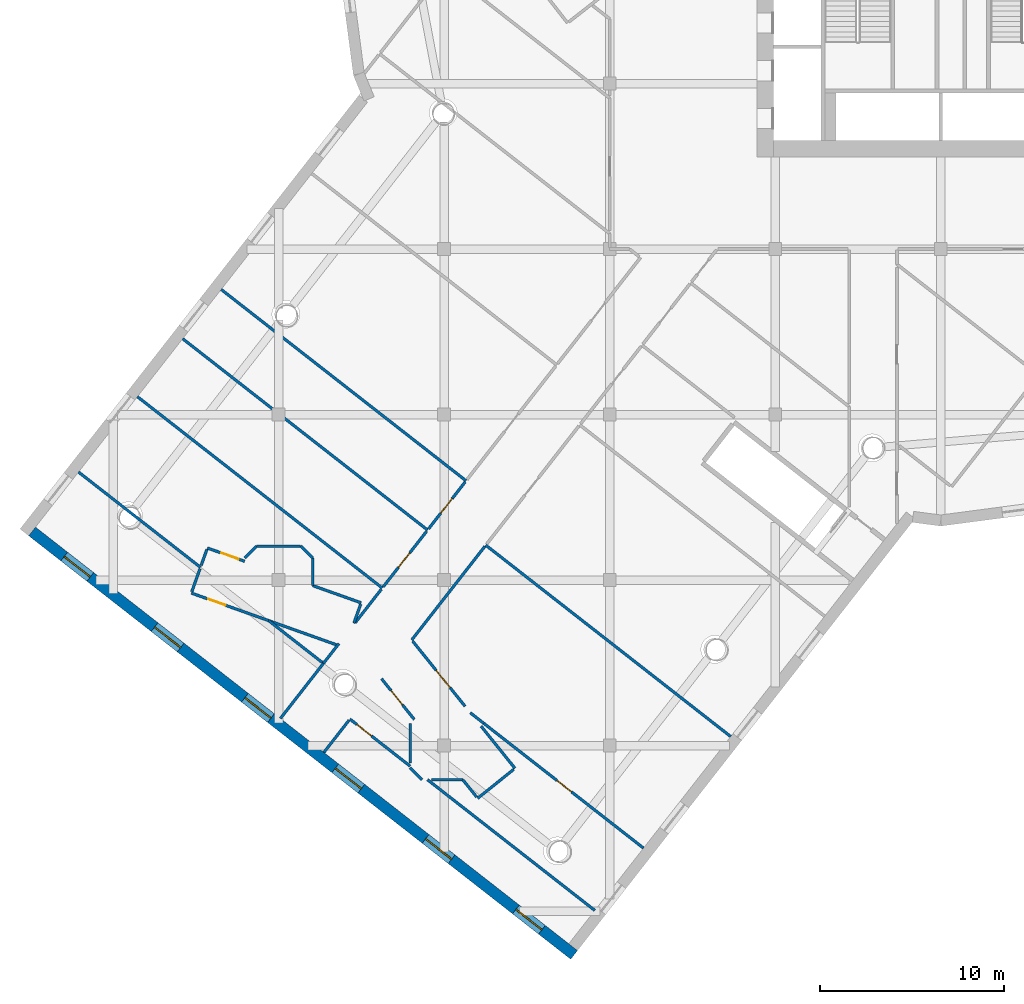
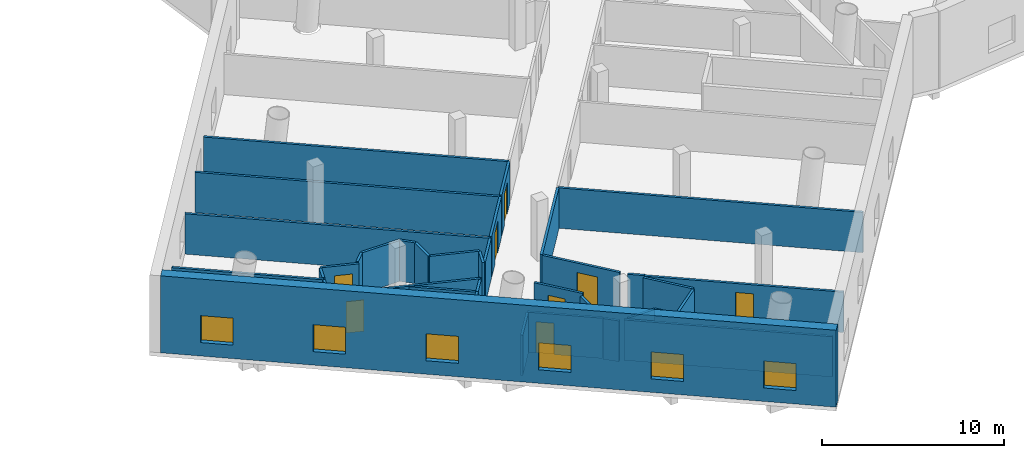
# One storey, part 4 of 15: 37 walls, 8 doors, 6 windows, 14 openings.
"""IFC4 building model written with IfcOpenShell, lengths in metres."""

from ifc_helpers import new_model, si_unit, direction, frame, frame_2d, origin, place, context, subcontext, project, spatial, rectangle, extrude, material, layer, layer_set, type_object, element, fill, save


model = new_model("IFC4")

# Units and contexts
model_context = context("Model", 3, precision=1e-05, world=origin(), true_north=direction((0.0, 1.0)))
body_context = subcontext(model_context, "Body", "Model", "MODEL_VIEW")
ifc_project = project(units=[si_unit("LENGTHUNIT", "METRE"), si_unit("AREAUNIT", "SQUARE_METRE"), si_unit("VOLUMEUNIT", "CUBIC_METRE"), si_unit("PLANEANGLEUNIT", "RADIAN"), si_unit("MASSUNIT", "GRAM", prefix="KILO")], contexts=[model_context])

# Site, building, storey
site_placement = place(None, origin())
site = spatial("IfcSite", under=ifc_project, at=site_placement, CompositionType="ELEMENT")
building_placement = place(site_placement, origin())
building = spatial("IfcBuilding", under=site, at=building_placement, Name="Tarsis Ring Headquarters", CompositionType="ELEMENT")
storey_placement = place(building_placement, frame((0.0, 0.0, 30.0)))
storey = spatial("IfcBuildingStorey", under=building, at=storey_placement, Name="L05", CompositionType="ELEMENT", Elevation=30.0)

# Walls
ifc_material_1 = material(Name="Plasterboard partition")
ifc_layer_1 = layer(ifc_material_1, 0.14990234375)
ifc_layer_set_1 = layer_set([ifc_layer_1], Name="PO-PW150")
wall_type_1 = type_object("IfcWallType", Name="PO-PW150", PredefinedType="PARTITIONING", material=ifc_layer_set_1)
wall_1_placement = place(storey_placement, frame((-41.218994140625, -22.87158203125, 0.0), z_axis=(0.0, 0.0, 1.0), x_axis=(0.788014736946, -0.61565637685, 0.0)))
element("IfcWall", 1, at=wall_1_placement, inside=storey, type_object=wall_type_1, Name="L05 partition wall 4", PredefinedType="PARTITIONING", context=body_context, shape_type="SweptSolid", body=[
    extrude(rectangle(XDim=16.89990234375, YDim=0.14990234375, at=frame_2d((8.449951171875, 0.0))), origin(), (0.0, 0.0, 1.0), 2.699951171875),
])
for number, where, z_axis, x_axis, name in (
    (2, (-24.7373046875, -34.0986328125, 0.0), (0.0, 0.0, 1.0), (0.788007728406, -0.615665347386, 0.0), "L05 partition wall 7"),
    (3, (-39.1259765625, -20.192138671875, 0.0), (0.0, 0.0, 1.0), (0.788007728406, -0.615665347386, 0.0), "L05 partition wall 8"),
    (4, (-43.681640625, -26.0234375, 0.0), (0.0, 0.0, 1.0), (0.788007728406, -0.615665347386, 0.0), "L05 partition wall 9"),
):
    element("IfcWall", number, at=place(storey_placement, frame(where, z_axis=z_axis, x_axis=x_axis)), inside=storey, type_object=wall_type_1, Name=name, PredefinedType="PARTITIONING", context=body_context, shape_type="SweptSolid", body=[
        extrude(rectangle(XDim=16.900146484375, YDim=0.14990234375, at=frame_2d((8.4501953125, 0.0))), origin(), (0.0, 0.0, 1.0), 2.699951171875),
    ])
wall_2_placement = place(storey_placement, frame((-27.90771484375, -46.85009765625, 0.0), z_axis=(0.0, 0.0, 1.0), x_axis=(0.788019565824, -0.615650196035, 0.0)))
element("IfcWall", 5, at=wall_2_placement, inside=storey, type_object=wall_type_1, Name="L05 partition wall 18", PredefinedType="PARTITIONING", context=body_context, shape_type="SweptSolid", body=[
    extrude(rectangle(XDim=11.5478515625, YDim=0.14990234375, at=frame_2d((5.77392578125, 0.0))), origin(), (0.0, 0.0, 1.0), 2.699951171875),
])

# Wall, opening, door
wall_3_placement = place(storey_placement, frame((-24.84423828125, -43.78662109375, 0.0), z_axis=(0.0, 0.0, 1.0), x_axis=(0.788008250972, -0.615664678539, 0.0)))
wall_3 = element("IfcWall", 6, at=wall_3_placement, inside=storey, type_object=wall_type_1, Name="L05 partition wall 20", PredefinedType="PARTITIONING", context=body_context, shape_type="SweptSolid", body=[
    extrude(rectangle(XDim=11.019775390625, YDim=0.14990234375, at=frame_2d((5.509765625, 0.0))), origin(), (0.0, 0.0, 1.0), 2.699951171875),
])
opening_1_placement = place(wall_3_placement, frame((5.0498046875, 0.0, 0.0)))
opening_1 = element("IfcOpeningElement", 7, at=opening_1_placement, cuts=wall_3, Name="Opening PO-D1A", PredefinedType="OPENING", context=body_context, shape_type="SweptSolid", body=[
    extrude(rectangle(XDim=1.0, YDim=2.10009765625, at=frame_2d((0.5, 1.050048828125))), frame((0.0, 0.0849609375, 0.0), z_axis=(0.0, -1.0, 0.0), x_axis=(1.0, 0.0, 0.0)), (0.0, 0.0, 1.0), 0.169921875),
])
ifc_material_2 = material(Name="Timber door", Category="wood")
door_type_1 = type_object("IfcDoorType", Name="PO-D1000-UNRATED", OperationType="NOTDEFINED", PredefinedType="DOOR", material=ifc_material_2)
door_1_placement = place(opening_1_placement, origin())
door_1 = element("IfcDoor", 8, at=door_1_placement, inside=storey, type_object=door_type_1, Name="Men's ablution room door", OperationType="SINGLE_SWING_LEFT", OverallHeight=2.10009765625, OverallWidth=1.0, PredefinedType="DOOR", context=body_context, shape_type="SweptSolid", body=[
    extrude(rectangle(XDim=1.0, YDim=2.10009765625, at=frame_2d((0.5, 1.050048828125))), frame((0.0, 0.02490234375, 0.0), z_axis=(0.0, -1.0, 0.0), x_axis=(1.0, 0.0, 0.0)), (0.0, 0.0, 1.0), 0.050048828125),
])
fill(opening_1, door_1)

# Wall
wall_4_placement = place(storey_placement, frame((-46.88330078125, -30.12109375, 0.0), z_axis=(0.0, 0.0, 1.0), x_axis=(0.788010301916, -0.615662053463, 0.0)))
element("IfcWall", 9, at=wall_4_placement, inside=storey, type_object=wall_type_1, Name="L05 partition wall 41", PredefinedType="PARTITIONING", context=body_context, shape_type="SweptSolid", body=[
    extrude(rectangle(XDim=8.417236328125, YDim=0.14990234375, at=frame_2d((4.20849609375, 0.0))), origin(), (0.0, 0.0, 1.0), 2.699951171875),
])

# Wall, opening, door
wall_5_placement = place(storey_placement, frame((-28.85009765625, -46.11376953125, 0.0), z_axis=(0.0, 0.0, 1.0), x_axis=(-0.788009234078, 0.615663420229, 0.0)))
wall_5 = element("IfcWall", 10, at=wall_5_placement, inside=storey, type_object=wall_type_1, Name="L05 partition wall 83", PredefinedType="PARTITIONING", context=body_context, shape_type="SweptSolid", body=[
    extrude(rectangle(XDim=4.15625, YDim=0.14990234375, at=frame_2d((2.078125, 0.0))), origin(), (0.0, 0.0, 1.0), 2.699951171875),
])
opening_2_placement = place(wall_5_placement, frame((2.67138671875, 0.0, 0.0)))
opening_2 = element("IfcOpeningElement", 11, at=opening_2_placement, cuts=wall_5, Name="Opening PO-D1A", PredefinedType="OPENING", context=body_context, shape_type="SweptSolid", body=[
    extrude(rectangle(XDim=1.0, YDim=2.10009765625, at=frame_2d((0.5, 1.050048828125))), frame((0.0, 0.0849609375, 0.0), z_axis=(0.0, -1.0, 0.0), x_axis=(1.0, 0.0, 0.0)), (0.0, 0.0, 1.0), 0.169921875),
])
door_2_placement = place(opening_2_placement, origin())
door_2 = element("IfcDoor", 12, at=door_2_placement, inside=storey, type_object=door_type_1, Name="Women's ablution room door", OperationType="SINGLE_SWING_RIGHT", OverallHeight=2.10009765625, OverallWidth=1.0, PredefinedType="DOOR", context=body_context, shape_type="SweptSolid", body=[
    extrude(rectangle(XDim=1.0, YDim=2.10009765625, at=frame_2d((0.5, 1.050048828125))), frame((0.0, 0.02490234375, 0.0), z_axis=(0.0, -1.0, 0.0), x_axis=(1.0, 0.0, 0.0)), (0.0, 0.0, 1.0), 0.050048828125),
])
fill(opening_2, door_2)

# Walls
wall_6_placement = place(storey_placement, frame((-33.56494140625, -40.5263671875, 0.0), z_axis=(0.0, 0.0, 1.0), x_axis=(-0.615651522159, -0.788018529772, 0.0)))
element("IfcWall", 13, at=wall_6_placement, inside=storey, type_object=wall_type_1, Name="L05 partition wall 90", PredefinedType="PARTITIONING", context=body_context, shape_type="SweptSolid", body=[
    extrude(rectangle(XDim=3.80029296875, YDim=0.14990234375, at=frame_2d((1.900146484375, 0.0))), origin(), (0.0, 0.0, 1.0), 2.699951171875),
])
wall_7_placement = place(storey_placement, frame((-36.5400390625, -38.2021484375, 0.0), z_axis=(0.0, 0.0, 1.0), x_axis=(0.788012350607, -0.615659431253, 0.0)))
element("IfcWall", 14, at=wall_7_placement, inside=storey, type_object=wall_type_1, Name="L05 partition wall 91", PredefinedType="PARTITIONING", context=body_context, shape_type="SweptSolid", body=[
    extrude(rectangle(XDim=3.6943359375, YDim=0.14990234375, at=frame_2d((1.84716796875, 0.0))), origin(), (0.0, 0.0, 1.0), 2.699951171875),
])
wall_8_placement = place(storey_placement, frame((-32.174560546875, -43.617919921875, 0.0), z_axis=(0.0, 0.0, 1.0), x_axis=(-0.615667518307, -0.788006032275, 0.0)))
element("IfcWall", 15, at=wall_8_placement, inside=storey, type_object=wall_type_1, Name="L05 partition wall 130", PredefinedType="PARTITIONING", context=body_context, shape_type="SweptSolid", body=[
    extrude(rectangle(XDim=2.219970703125, YDim=0.14990234375, at=frame_2d((1.10986328125, 0.0))), origin(), (0.0, 0.0, 1.0), 2.699951171875),
])
wall_9_placement = place(storey_placement, frame((-33.56591796875, -40.52587890625, 0.0), z_axis=(0.0, 0.0, 1.0), x_axis=(0.615730622923, 0.787956724697, 0.0)))
element("IfcWall", 16, at=wall_9_placement, inside=storey, type_object=wall_type_1, Name="L05 partition wall 154", PredefinedType="PARTITIONING", context=body_context, shape_type="SweptSolid", body=[
    extrude(rectangle(XDim=1.367919921875, YDim=0.14990234375, at=frame_2d((0.68408203125, 0.0))), origin(), (0.0, 0.0, 1.0), 2.699951171875),
])
ifc_layer_2 = layer(ifc_material_1, 0.14990234375)
ifc_layer_set_2 = layer_set([ifc_layer_2], Name="PO-PW150R-2733")
wall_type_2 = type_object("IfcWallType", Name="PO-PW150R-2733", PredefinedType="PARTITIONING", material=ifc_layer_set_2)
wall_10_placement = place(storey_placement, frame((-24.78662109375, -34.161865234375, 0.0), z_axis=(0.0, 0.0, 1.0), x_axis=(-0.61564990773, -0.788019791066, 0.0)))
element("IfcWall", 17, at=wall_10_placement, inside=storey, type_object=wall_type_2, Name="L05 partition wall 54", PredefinedType="PARTITIONING", context=body_context, shape_type="SweptSolid", body=[
    extrude(rectangle(XDim=6.46142578125, YDim=0.14990234375, at=frame_2d((3.230712890625, 0.0))), origin(), (0.0, 0.0, 1.0), 2.73291015625),
])

# Wall, opening, door
wall_11_placement = place(storey_placement, frame((-28.714599609375, -39.31591796875, 0.0), z_axis=(0.0, 0.0, 1.0), x_axis=(0.626845027558, -0.779143960655, 0.0)))
wall_11 = element("IfcWall", 18, at=wall_11_placement, inside=storey, type_object=wall_type_2, Name="L05 partition wall 74", PredefinedType="PARTITIONING", context=body_context, shape_type="SweptSolid", body=[
    extrude(rectangle(XDim=4.551025390625, YDim=0.14990234375, at=frame_2d((2.275390625, 0.0))), origin(), (0.0, 0.0, 1.0), 2.73291015625),
])
opening_3_placement = place(wall_11_placement, frame((2.04443359375, 0.0, 0.0)))
opening_3 = element("IfcOpeningElement", 19, at=opening_3_placement, cuts=wall_11, Name="Opening PO-D2", PredefinedType="OPENING", context=body_context, shape_type="SweptSolid", body=[
    extrude(rectangle(XDim=1.199951171875, YDim=2.10009765625, at=frame_2d((0.60009765625, 1.050048828125))), frame((0.0, 0.0849609375, 0.0), z_axis=(0.0, -1.0, 0.0), x_axis=(1.0, 0.0, 0.0)), (0.0, 0.0, 1.0), 0.169921875),
])
door_type_2 = type_object("IfcDoorType", Name="PO-D1200", OperationType="NOTDEFINED", PredefinedType="DOOR", material=ifc_material_2)
door_3_placement = place(opening_3_placement, origin())
door_3 = element("IfcDoor", 20, at=door_3_placement, inside=storey, type_object=door_type_2, Name="Women's prayer hall door", OperationType="SINGLE_SWING_LEFT", OverallHeight=2.10009765625, OverallWidth=1.199951171875, PredefinedType="DOOR", context=body_context, shape_type="SweptSolid", body=[
    extrude(rectangle(XDim=1.199951171875, YDim=2.10009765625, at=frame_2d((0.60009765625, 1.050048828125))), frame((0.0, 0.02490234375, 0.0), z_axis=(0.0, -1.0, 0.0), x_axis=(1.0, 0.0, 0.0)), (0.0, 0.0, 1.0), 0.050048828125),
])
fill(opening_3, door_3)

wall_12_placement = place(storey_placement, frame((-36.5400390625, -38.2021484375, 0.0), z_axis=(0.0, 0.0, 1.0), x_axis=(-0.941917309406, 0.335844878243, 0.0)))
wall_12 = element("IfcWall", 21, at=wall_12_placement, inside=storey, type_object=wall_type_2, Name="L05 partition wall 76", PredefinedType="PARTITIONING", context=body_context, shape_type="SweptSolid", body=[
    extrude(rectangle(XDim=4.468505859375, YDim=0.14990234375, at=frame_2d((2.234375, 0.0))), origin(), (0.0, 0.0, 1.0), 2.73291015625),
])
opening_4_placement = place(wall_12_placement, frame((2.496337890625, 0.0, 0.0)))
opening_4 = element("IfcOpeningElement", 22, at=opening_4_placement, cuts=wall_12, Name="Opening PO-D1", PredefinedType="OPENING", context=body_context, shape_type="SweptSolid", body=[
    extrude(rectangle(XDim=1.0, YDim=2.10009765625, at=frame_2d((0.5, 1.050048828125))), frame((0.0, 0.0849609375, 0.0), z_axis=(0.0, -1.0, 0.0), x_axis=(1.0, 0.0, 0.0)), (0.0, 0.0, 1.0), 0.169921875),
])
door_type_3 = type_object("IfcDoorType", Name="PO-D1000", OperationType="NOTDEFINED", PredefinedType="DOOR", material=ifc_material_2)
door_4_placement = place(opening_4_placement, origin())
door_4 = element("IfcDoor", 23, at=door_4_placement, inside=storey, type_object=door_type_3, Name="Men's prayer hall door", OperationType="SINGLE_SWING_LEFT", OverallHeight=2.10009765625, OverallWidth=1.0, PredefinedType="DOOR", context=body_context, shape_type="SweptSolid", body=[
    extrude(rectangle(XDim=1.0, YDim=2.10009765625, at=frame_2d((0.5, 1.050048828125))), frame((0.0, 0.02490234375, 0.0), z_axis=(0.0, -1.0, 0.0), x_axis=(1.0, 0.0, 0.0)), (0.0, 0.0, 1.0), 0.050048828125),
])
fill(opening_4, door_4)

wall_13_placement = place(storey_placement, frame((-30.315185546875, -36.365234375, 0.0), z_axis=(0.0, 0.0, 1.0), x_axis=(0.615660080165, 0.788011843623, 0.0)))
wall_13 = element("IfcWall", 24, at=wall_13_placement, inside=storey, type_object=wall_type_2, Name="L05 partition wall 85", PredefinedType="PARTITIONING", context=body_context, shape_type="SweptSolid", body=[
    extrude(rectangle(XDim=3.840087890625, YDim=0.14990234375, at=frame_2d((1.919921875, 0.0))), origin(), (0.0, 0.0, 1.0), 2.73291015625),
])
opening_5_placement = place(wall_13_placement, frame((1.340087890625, 0.0, 0.0)))
opening_5 = element("IfcOpeningElement", 25, at=opening_5_placement, cuts=wall_13, Name="Opening PO-D1", PredefinedType="OPENING", context=body_context, shape_type="SweptSolid", body=[
    extrude(rectangle(XDim=1.0, YDim=2.10009765625, at=frame_2d((0.5, 1.050048828125))), frame((0.0, 0.0849609375, 0.0), z_axis=(0.0, -1.0, 0.0), x_axis=(1.0, 0.0, 0.0)), (0.0, 0.0, 1.0), 0.169921875),
])
door_5_placement = place(opening_5_placement, origin())
door_5 = element("IfcDoor", 26, at=door_5_placement, inside=storey, type_object=door_type_3, Name="Women's ablution room door", OperationType="SINGLE_SWING_LEFT", OverallHeight=2.10009765625, OverallWidth=1.0, PredefinedType="DOOR", context=body_context, shape_type="SweptSolid", body=[
    extrude(rectangle(XDim=1.0, YDim=2.10009765625, at=frame_2d((0.5, 1.050048828125))), frame((0.0, 0.02490234375, 0.0), z_axis=(0.0, -1.0, 0.0), x_axis=(1.0, 0.0, 0.0)), (0.0, 0.0, 1.0), 0.050048828125),
])
fill(opening_5, door_5)

# Wall
wall_14_placement = place(storey_placement, frame((-32.7958984375, -39.537109375, 0.0), z_axis=(0.0, 0.0, 1.0), x_axis=(-0.941919644484, 0.335838329163, 0.0)))
element("IfcWall", 27, at=wall_14_placement, inside=storey, type_object=wall_type_2, Name="L05 partition wall 89", PredefinedType="PARTITIONING", context=body_context, shape_type="SweptSolid", body=[
    extrude(rectangle(XDim=3.97509765625, YDim=0.14990234375, at=frame_2d((1.987548828125, 0.0))), origin(), (0.0, 0.0, 1.0), 2.73291015625),
])

# Wall, opening, door
wall_15_placement = place(storey_placement, frame((-27.8525390625, -33.213134765625, 0.0), z_axis=(0.0, 0.0, 1.0), x_axis=(0.615676209838, 0.787999241523, 0.0)))
wall_15 = element("IfcWall", 28, at=wall_15_placement, inside=storey, type_object=wall_type_2, Name="L05 partition wall 97", PredefinedType="PARTITIONING", context=body_context, shape_type="SweptSolid", body=[
    extrude(rectangle(XDim=3.240234375, YDim=0.14990234375, at=frame_2d((1.6201171875, 0.0))), origin(), (0.0, 0.0, 1.0), 2.73291015625),
])
opening_6_placement = place(wall_15_placement, frame((1.090087890625, 0.0, 0.0)))
opening_6 = element("IfcOpeningElement", 29, at=opening_6_placement, cuts=wall_15, Name="Opening PO-D1", PredefinedType="OPENING", context=body_context, shape_type="SweptSolid", body=[
    extrude(rectangle(XDim=1.0, YDim=2.10009765625, at=frame_2d((0.5, 1.050048828125))), frame((0.0, 0.0849609375, 0.0), z_axis=(0.0, -1.0, 0.0), x_axis=(1.0, 0.0, 0.0)), (0.0, 0.0, 1.0), 0.169921875),
])
door_6_placement = place(opening_6_placement, origin())
door_6 = element("IfcDoor", 30, at=door_6_placement, inside=storey, type_object=door_type_3, Name="Men's ablution room door", OperationType="SINGLE_SWING_RIGHT", OverallHeight=2.10009765625, OverallWidth=1.0, PredefinedType="DOOR", context=body_context, shape_type="SweptSolid", body=[
    extrude(rectangle(XDim=1.0, YDim=2.10009765625, at=frame_2d((0.5, 1.050048828125))), frame((0.0, 0.02490234375, 0.0), z_axis=(0.0, -1.0, 0.0), x_axis=(1.0, 0.0, 0.0)), (0.0, 0.0, 1.0), 0.050048828125),
])
fill(opening_6, door_6)

# Wall
wall_16_placement = place(storey_placement, frame((-24.994873046875, -43.939453125, 0.0), z_axis=(0.0, 0.0, 1.0), x_axis=(0.626897677651, -0.779101599123, 0.0)))
element("IfcWall", 31, at=wall_16_placement, inside=storey, type_object=wall_type_2, Name="L05 partition wall 103", PredefinedType="PARTITIONING", context=body_context, shape_type="SweptSolid", body=[
    extrude(rectangle(XDim=2.943359375, YDim=0.14990234375, at=frame_2d((1.4716796875, 0.0))), origin(), (0.0, 0.0, 1.0), 2.73291015625),
])

# Wall, opening, door
wall_17_placement = place(storey_placement, frame((-28.625, -43.574951171875, 0.0), z_axis=(0.0, 0.0, 1.0), x_axis=(-0.626839102791, 0.779148727274, 0.0)))
wall_17 = element("IfcWall", 32, at=wall_17_placement, inside=storey, type_object=wall_type_2, Name="L05 partition wall 107", PredefinedType="PARTITIONING", context=body_context, shape_type="SweptSolid", body=[
    extrude(rectangle(XDim=2.843505859375, YDim=0.14990234375, at=frame_2d((1.421875, 0.0))), origin(), (0.0, 0.0, 1.0), 2.73291015625),
])
opening_7_placement = place(wall_17_placement, frame((1.017822265625, 0.0, 0.0)))
opening_7 = element("IfcOpeningElement", 33, at=opening_7_placement, cuts=wall_17, Name="Opening PO-D1", PredefinedType="OPENING", context=body_context, shape_type="SweptSolid", body=[
    extrude(rectangle(XDim=1.0, YDim=2.10009765625, at=frame_2d((0.5, 1.050048828125))), frame((0.0, 0.0849609375, 0.0), z_axis=(0.0, -1.0, 0.0), x_axis=(1.0, 0.0, 0.0)), (0.0, 0.0, 1.0), 0.169921875),
])
door_7_placement = place(opening_7_placement, origin())
door_7 = element("IfcDoor", 34, at=door_7_placement, inside=storey, type_object=door_type_3, Name="Project room door", OperationType="SINGLE_SWING_LEFT", OverallHeight=2.10009765625, OverallWidth=1.0, PredefinedType="DOOR", context=body_context, shape_type="SweptSolid", body=[
    extrude(rectangle(XDim=1.0, YDim=2.10009765625, at=frame_2d((0.5, 1.050048828125))), frame((0.0, 0.02490234375, 0.0), z_axis=(0.0, -1.0, 0.0), x_axis=(1.0, 0.0, 0.0)), (0.0, 0.0, 1.0), 0.050048828125),
])
fill(opening_7, door_7)

# Walls
wall_18_placement = place(storey_placement, frame((-34.14990234375, -36.2939453125, 0.0), z_axis=(0.0, 0.0, 1.0), x_axis=(0.94190955998, -0.335866611644, 0.0)))
element("IfcWall", 35, at=wall_18_placement, inside=storey, type_object=wall_type_2, Name="L05 partition wall 113", PredefinedType="PARTITIONING", context=body_context, shape_type="SweptSolid", body=[
    extrude(rectangle(XDim=2.798583984375, YDim=0.14990234375, at=frame_2d((1.3994140625, 0.0))), origin(), (0.0, 0.0, 1.0), 2.73291015625),
])
wall_19_placement = place(storey_placement, frame((-23.212158203125, -46.282958984375, 0.0), z_axis=(0.0, 0.0, 1.0), x_axis=(-0.779145557055, -0.626843043291, 0.0)))
element("IfcWall", 36, at=wall_19_placement, inside=storey, type_object=wall_type_2, Name="L05 partition wall 115", PredefinedType="PARTITIONING", context=body_context, shape_type="SweptSolid", body=[
    extrude(rectangle(XDim=2.52001953125, YDim=0.14990234375, at=frame_2d((1.260009765625, 0.0))), origin(), (0.0, 0.0, 1.0), 2.73291015625),
])
wall_20_placement = place(storey_placement, frame((-37.199951171875, -34.14990234375, 0.0), z_axis=(0.0, 0.0, 1.0), x_axis=(1.0, 0.0, 0.0)))
element("IfcWall", 37, at=wall_20_placement, inside=storey, type_object=wall_type_2, Name="L05 partition wall 122", PredefinedType="PARTITIONING", context=body_context, shape_type="SweptSolid", body=[
    extrude(rectangle(XDim=2.39990234375, YDim=0.14990234375, at=frame_2d((1.199951171875, 0.0))), origin(), (0.0, 0.0, 1.0), 2.73291015625),
])
wall_21_placement = place(storey_placement, frame((-31.833251953125, -38.308349609375, 0.0), z_axis=(0.0, 0.0, 1.0), x_axis=(0.615654314666, 0.788016348075, 0.0)))
element("IfcWall", 38, at=wall_21_placement, inside=storey, type_object=wall_type_2, Name="L05 partition wall 123", PredefinedType="PARTITIONING", context=body_context, shape_type="SweptSolid", body=[
    extrude(rectangle(XDim=2.305908203125, YDim=0.14990234375, at=frame_2d((1.15283203125, 0.0))), origin(), (0.0, 0.0, 1.0), 2.73291015625),
])
wall_22_placement = place(storey_placement, frame((-28.85009765625, -45.95263671875, 0.0), z_axis=(0.0, 0.0, 1.0), x_axis=(0.0, 1.0, 0.0)))
element("IfcWall", 39, at=wall_22_placement, inside=storey, type_object=wall_type_2, Name="L05 partition wall 129", PredefinedType="PARTITIONING", context=body_context, shape_type="SweptSolid", body=[
    extrude(rectangle(XDim=2.152587890625, YDim=0.14990234375, at=frame_2d((1.076171875, 0.0))), origin(), (0.0, 0.0, 1.0), 2.73291015625),
])

# Wall, opening, door
wall_23_placement = place(storey_placement, frame((-39.8759765625, -34.25244140625, 0.0), z_axis=(0.0, 0.0, 1.0), x_axis=(0.941942064001, -0.335775442916, 0.0)))
wall_23 = element("IfcWall", 40, at=wall_23_placement, inside=storey, type_object=wall_type_2, Name="L05 partition wall 133", PredefinedType="PARTITIONING", context=body_context, shape_type="SweptSolid", body=[
    extrude(rectangle(XDim=2.150634765625, YDim=0.14990234375, at=frame_2d((1.0751953125, 0.0))), origin(), (0.0, 0.0, 1.0), 2.73291015625),
])
opening_8_placement = place(wall_23_placement, frame((0.800048828125, 0.0, 0.0)))
opening_8 = element("IfcOpeningElement", 41, at=opening_8_placement, cuts=wall_23, Name="Opening PO-D1", PredefinedType="OPENING", context=body_context, shape_type="SweptSolid", body=[
    extrude(rectangle(XDim=1.0, YDim=2.10009765625, at=frame_2d((0.5, 1.050048828125))), frame((0.0, 0.0849609375, 0.0), z_axis=(0.0, -1.0, 0.0), x_axis=(1.0, 0.0, 0.0)), (0.0, 0.0, 1.0), 0.169921875),
])
door_8_placement = place(opening_8_placement, origin())
door_8 = element("IfcDoor", 42, at=door_8_placement, inside=storey, type_object=door_type_3, Name="Prayer storage door", OperationType="SINGLE_SWING_RIGHT", OverallHeight=2.10009765625, OverallWidth=1.0, PredefinedType="DOOR", context=body_context, shape_type="SweptSolid", body=[
    extrude(rectangle(XDim=1.0, YDim=2.10009765625, at=frame_2d((0.5, 1.050048828125))), frame((0.0, 0.02490234375, 0.0), z_axis=(0.0, -1.0, 0.0), x_axis=(1.0, 0.0, 0.0)), (0.0, 0.0, 1.0), 0.050048828125),
])
fill(opening_8, door_8)

# Walls
wall_24_placement = place(storey_placement, frame((-25.989990234375, -46.85009765625, 0.0), z_axis=(0.0, 0.0, 1.0), x_axis=(-1.0, 0.0, 0.0)))
element("IfcWall", 43, at=wall_24_placement, inside=storey, type_object=wall_type_2, Name="L05 partition wall 145", PredefinedType="PARTITIONING", context=body_context, shape_type="SweptSolid", body=[
    extrude(rectangle(XDim=1.69775390625, YDim=0.14990234375, at=frame_2d((0.848876953125, 0.0))), origin(), (0.0, 0.0, 1.0), 2.73291015625),
])
wall_25_placement = place(storey_placement, frame((-34.14990234375, -34.800048828125, 0.0), z_axis=(0.0, 0.0, 1.0), x_axis=(0.0, -1.0, 0.0)))
element("IfcWall", 44, at=wall_25_placement, inside=storey, type_object=wall_type_2, Name="L05 partition wall 152", PredefinedType="PARTITIONING", context=body_context, shape_type="SweptSolid", body=[
    extrude(rectangle(XDim=1.493896484375, YDim=0.14990234375, at=frame_2d((0.7470703125, 0.0))), origin(), (0.0, 0.0, 1.0), 2.73291015625),
])
wall_26_placement = place(storey_placement, frame((-40.72216796875, -36.6259765625, 0.0), z_axis=(0.0, 0.0, 1.0), x_axis=(0.335682369175, 0.941975236949, 0.0)))
element("IfcWall", 45, at=wall_26_placement, inside=storey, type_object=wall_type_2, Name="L05 partition wall 153", PredefinedType="PARTITIONING", context=body_context, shape_type="SweptSolid", body=[
    extrude(rectangle(XDim=1.324462890625, YDim=0.14990234375, at=frame_2d((0.662109375, 0.0))), origin(), (0.0, 0.0, 1.0), 2.73291015625),
])
wall_27_placement = place(storey_placement, frame((-25.2255859375, -47.80029296875, 0.0), z_axis=(0.0, 0.0, 1.0), x_axis=(-0.626816777751, 0.779166687642, 0.0)))
element("IfcWall", 46, at=wall_27_placement, inside=storey, type_object=wall_type_2, Name="L05 partition wall 156", PredefinedType="PARTITIONING", context=body_context, shape_type="SweptSolid", body=[
    extrude(rectangle(XDim=1.219482421875, YDim=0.14990234375, at=frame_2d((0.60986328125, 0.0))), origin(), (0.0, 0.0, 1.0), 2.73291015625),
])
wall_28_placement = place(storey_placement, frame((-31.540771484375, -37.309326171875, 0.0), z_axis=(0.0, 0.0, 1.0), x_axis=(-0.335926038548, -0.941888367391, 0.0)))
element("IfcWall", 47, at=wall_28_placement, inside=storey, type_object=wall_type_2, Name="L05 partition wall 164", PredefinedType="PARTITIONING", context=body_context, shape_type="SweptSolid", body=[
    extrude(rectangle(XDim=1.093017578125, YDim=0.14990234375, at=frame_2d((0.54638671875, 0.0))), origin(), (0.0, 0.0, 1.0), 2.73291015625),
])
wall_29_placement = place(storey_placement, frame((-40.213623046875, -35.199462890625, 0.0), z_axis=(0.0, 0.0, 1.0), x_axis=(0.335784919378, 0.941938685859, 0.0)))
element("IfcWall", 48, at=wall_29_placement, inside=storey, type_object=wall_type_2, Name="L05 partition wall 169", PredefinedType="PARTITIONING", context=body_context, shape_type="SweptSolid", body=[
    extrude(rectangle(XDim=0.925537109375, YDim=0.14990234375, at=frame_2d((0.462890625, 0.0))), origin(), (0.0, 0.0, 1.0), 2.73291015625),
])
wall_30_placement = place(storey_placement, frame((-25.580322265625, -43.21142578125, 0.0), z_axis=(0.0, 0.0, 1.0), x_axis=(0.787957011892, -0.615730255396, 0.0)))
element("IfcWall", 49, at=wall_30_placement, inside=storey, type_object=wall_type_2, Name="L05 partition wall 176", PredefinedType="PARTITIONING", context=body_context, shape_type="SweptSolid", body=[
    extrude(rectangle(XDim=0.93408203125, YDim=0.14990234375, at=frame_2d((0.467041015625, 0.0))), origin(), (0.0, 0.0, 1.0), 2.73291015625),
])
for number, where, z_axis, x_axis, name in (
    (50, (-37.85009765625, -34.800048828125, 0.0), (0.0, 0.0, 1.0), (0.707106781187, 0.707106781187, 0.0), "L05 partition wall 178"),
    (51, (-28.199951171875, -46.85009765625, 0.0), (0.0, 0.0, 1.0), (-0.707106781187, 0.707106781187, 0.0), "L05 partition wall 180"),
    (52, (-34.800048828125, -34.14990234375, 0.0), (0.0, 0.0, 1.0), (0.707106781187, -0.707106781187, 0.0), "L05 partition wall 182"),
):
    element("IfcWall", number, at=place(storey_placement, frame(where, z_axis=z_axis, x_axis=x_axis)), inside=storey, type_object=wall_type_2, Name=name, PredefinedType="PARTITIONING", context=body_context, shape_type="SweptSolid", body=[
        extrude(rectangle(XDim=0.91943359375, YDim=0.14990234375, at=frame_2d((0.459716796875, 0.0))), origin(), (0.0, 0.0, 1.0), 2.73291015625),
    ])

# Wall, openings, windows
ifc_material_3 = material(Name="Concrete C60/75", Category="concrete")
ifc_layer_3 = layer(ifc_material_3, 0.60009765625)
ifc_layer_set_3 = layer_set([ifc_layer_3], Name="PO-W600P")
wall_type_3 = type_object("IfcWallType", Name="PO-W600P", PredefinedType="SOLIDWALL", material=ifc_layer_set_3)
wall_31_placement = place(storey_placement, frame((-49.407470703125, -33.35205078125, 0.0), z_axis=(0.0, 0.0, 1.0), x_axis=(0.788012893483, -0.615658736399, 0.0)))
wall_31 = element("IfcWall", 53, at=wall_31_placement, inside=storey, type_object=wall_type_3, Name="L05 external wall 7", PredefinedType="SOLIDWALL", context=body_context, shape_type="SweptSolid", body=[
    extrude(rectangle(XDim=37.39990234375, YDim=0.60009765625, at=frame_2d((18.699951171875, 0.0))), origin(), (0.0, 0.0, 1.0), 5.14990234375),
])
opening_9_placement = place(wall_31_placement, frame((2.216552734375, 0.0, 0.89990234375)))
opening_9 = element("IfcOpeningElement", 54, at=opening_9_placement, cuts=wall_31, Name="Opening PO-WN147", PredefinedType="OPENING", context=body_context, shape_type="SweptSolid", body=[
    extrude(rectangle(XDim=1.800048828125, YDim=1.802978515625, at=frame_2d((0.89990234375, 0.9013671875))), frame((0.0, 0.31005859375, 0.0), z_axis=(0.0, -1.0, 0.0), x_axis=(1.0, 0.0, 0.0)), (0.0, 0.0, 1.0), 0.6201171875),
])
opening_10_placement = place(wall_31_placement, frame((8.449951171875, 0.0, 0.89990234375)))
opening_10 = element("IfcOpeningElement", 55, at=opening_10_placement, cuts=wall_31, Name="Opening PO-WN147", PredefinedType="OPENING", context=body_context, shape_type="SweptSolid", body=[
    extrude(rectangle(XDim=1.800048828125, YDim=1.802978515625, at=frame_2d((0.89990234375, 0.9013671875))), frame((0.0, 0.31005859375, 0.0), z_axis=(0.0, -1.0, 0.0), x_axis=(1.0, 0.0, 0.0)), (0.0, 0.0, 1.0), 0.6201171875),
])
opening_11_placement = place(wall_31_placement, frame((14.683349609375, 0.0, 0.89990234375)))
opening_11 = element("IfcOpeningElement", 56, at=opening_11_placement, cuts=wall_31, Name="Opening PO-WN147", PredefinedType="OPENING", context=body_context, shape_type="SweptSolid", body=[
    extrude(rectangle(XDim=1.800048828125, YDim=1.802978515625, at=frame_2d((0.89990234375, 0.9013671875))), frame((0.0, 0.31005859375, 0.0), z_axis=(0.0, -1.0, 0.0), x_axis=(1.0, 0.0, 0.0)), (0.0, 0.0, 1.0), 0.6201171875),
])
opening_12_placement = place(wall_31_placement, frame((20.916748046875, 0.0, 0.89990234375)))
opening_12 = element("IfcOpeningElement", 57, at=opening_12_placement, cuts=wall_31, Name="Opening PO-WN147", PredefinedType="OPENING", context=body_context, shape_type="SweptSolid", body=[
    extrude(rectangle(XDim=1.800048828125, YDim=1.802978515625, at=frame_2d((0.89990234375, 0.9013671875))), frame((0.0, 0.31005859375, 0.0), z_axis=(0.0, -1.0, 0.0), x_axis=(1.0, 0.0, 0.0)), (0.0, 0.0, 1.0), 0.6201171875),
])
opening_13_placement = place(wall_31_placement, frame((27.14990234375, 0.0, 0.89990234375)))
opening_13 = element("IfcOpeningElement", 58, at=opening_13_placement, cuts=wall_31, Name="Opening PO-WN147", PredefinedType="OPENING", context=body_context, shape_type="SweptSolid", body=[
    extrude(rectangle(XDim=1.800048828125, YDim=1.802978515625, at=frame_2d((0.89990234375, 0.9013671875))), frame((0.0, 0.31005859375, 0.0), z_axis=(0.0, -1.0, 0.0), x_axis=(1.0, 0.0, 0.0)), (0.0, 0.0, 1.0), 0.6201171875),
])
opening_14_placement = place(wall_31_placement, frame((33.38330078125, 0.0, 0.89990234375)))
opening_14 = element("IfcOpeningElement", 59, at=opening_14_placement, cuts=wall_31, Name="Opening PO-WN147", PredefinedType="OPENING", context=body_context, shape_type="SweptSolid", body=[
    extrude(rectangle(XDim=1.800048828125, YDim=1.802978515625, at=frame_2d((0.89990234375, 0.9013671875))), frame((0.0, 0.31005859375, 0.0), z_axis=(0.0, -1.0, 0.0), x_axis=(1.0, 0.0, 0.0)), (0.0, 0.0, 1.0), 0.6201171875),
])
ifc_material_4 = material(Name="Double glazing", Category="glass")
window_type = type_object("IfcWindowType", Name="PO-WN1800-1803", PartitioningType="SINGLE_PANEL", PredefinedType="WINDOW", material=ifc_material_4)
window_1_placement = place(opening_9_placement, origin())
window_1 = element("IfcWindow", 60, at=window_1_placement, inside=storey, type_object=window_type, Name="L05 window 7.1", OverallHeight=1.802978515625, OverallWidth=1.800048828125, PartitioningType="SINGLE_PANEL", PredefinedType="WINDOW", context=body_context, shape_type="SweptSolid", body=[
    extrude(rectangle(XDim=1.800048828125, YDim=1.802978515625, at=frame_2d((0.89990234375, 0.9013671875))), frame((0.0, 0.030029296875, 0.0), z_axis=(0.0, -1.0, 0.0), x_axis=(1.0, 0.0, 0.0)), (0.0, 0.0, 1.0), 0.06005859375),
])
fill(opening_9, window_1)
window_2_placement = place(opening_10_placement, origin())
window_2 = element("IfcWindow", 61, at=window_2_placement, inside=storey, type_object=window_type, Name="L05 window 7.2", OverallHeight=1.802978515625, OverallWidth=1.800048828125, PartitioningType="SINGLE_PANEL", PredefinedType="WINDOW", context=body_context, shape_type="SweptSolid", body=[
    extrude(rectangle(XDim=1.800048828125, YDim=1.802978515625, at=frame_2d((0.89990234375, 0.9013671875))), frame((0.0, 0.030029296875, 0.0), z_axis=(0.0, -1.0, 0.0), x_axis=(1.0, 0.0, 0.0)), (0.0, 0.0, 1.0), 0.06005859375),
])
fill(opening_10, window_2)
window_3_placement = place(opening_11_placement, origin())
window_3 = element("IfcWindow", 62, at=window_3_placement, inside=storey, type_object=window_type, Name="L05 window 7.3", OverallHeight=1.802978515625, OverallWidth=1.800048828125, PartitioningType="SINGLE_PANEL", PredefinedType="WINDOW", context=body_context, shape_type="SweptSolid", body=[
    extrude(rectangle(XDim=1.800048828125, YDim=1.802978515625, at=frame_2d((0.89990234375, 0.9013671875))), frame((0.0, 0.030029296875, 0.0), z_axis=(0.0, -1.0, 0.0), x_axis=(1.0, 0.0, 0.0)), (0.0, 0.0, 1.0), 0.06005859375),
])
fill(opening_11, window_3)
window_4_placement = place(opening_12_placement, origin())
window_4 = element("IfcWindow", 63, at=window_4_placement, inside=storey, type_object=window_type, Name="L05 window 7.4", OverallHeight=1.802978515625, OverallWidth=1.800048828125, PartitioningType="SINGLE_PANEL", PredefinedType="WINDOW", context=body_context, shape_type="SweptSolid", body=[
    extrude(rectangle(XDim=1.800048828125, YDim=1.802978515625, at=frame_2d((0.89990234375, 0.9013671875))), frame((0.0, 0.030029296875, 0.0), z_axis=(0.0, -1.0, 0.0), x_axis=(1.0, 0.0, 0.0)), (0.0, 0.0, 1.0), 0.06005859375),
])
fill(opening_12, window_4)
window_5_placement = place(opening_13_placement, origin())
window_5 = element("IfcWindow", 64, at=window_5_placement, inside=storey, type_object=window_type, Name="L05 window 7.5", OverallHeight=1.802978515625, OverallWidth=1.800048828125, PartitioningType="SINGLE_PANEL", PredefinedType="WINDOW", context=body_context, shape_type="SweptSolid", body=[
    extrude(rectangle(XDim=1.800048828125, YDim=1.802978515625, at=frame_2d((0.89990234375, 0.9013671875))), frame((0.0, 0.030029296875, 0.0), z_axis=(0.0, -1.0, 0.0), x_axis=(1.0, 0.0, 0.0)), (0.0, 0.0, 1.0), 0.06005859375),
])
fill(opening_13, window_5)
window_6_placement = place(opening_14_placement, origin())
window_6 = element("IfcWindow", 65, at=window_6_placement, inside=storey, type_object=window_type, Name="L05 window 7.6", OverallHeight=1.802978515625, OverallWidth=1.800048828125, PartitioningType="SINGLE_PANEL", PredefinedType="WINDOW", context=body_context, shape_type="SweptSolid", body=[
    extrude(rectangle(XDim=1.800048828125, YDim=1.802978515625, at=frame_2d((0.89990234375, 0.9013671875))), frame((0.0, 0.030029296875, 0.0), z_axis=(0.0, -1.0, 0.0), x_axis=(1.0, 0.0, 0.0)), (0.0, 0.0, 1.0), 0.06005859375),
])
fill(opening_14, window_6)

save(model, "model.ifc")
